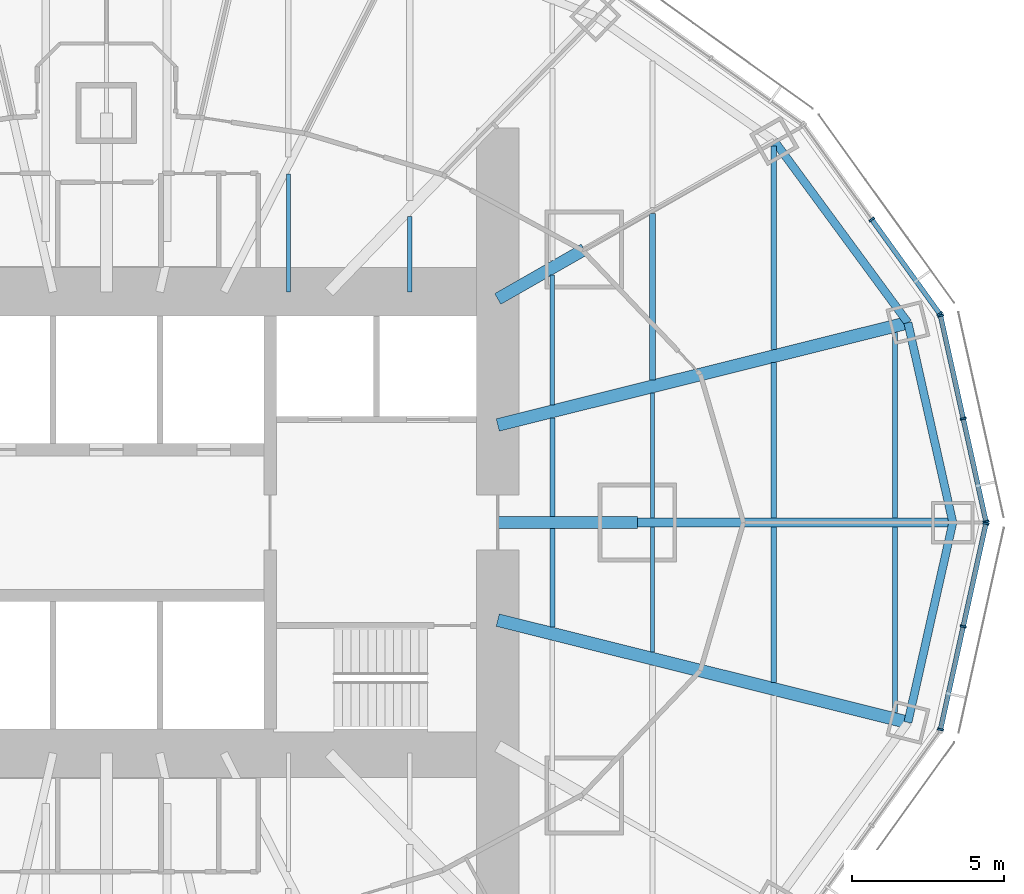
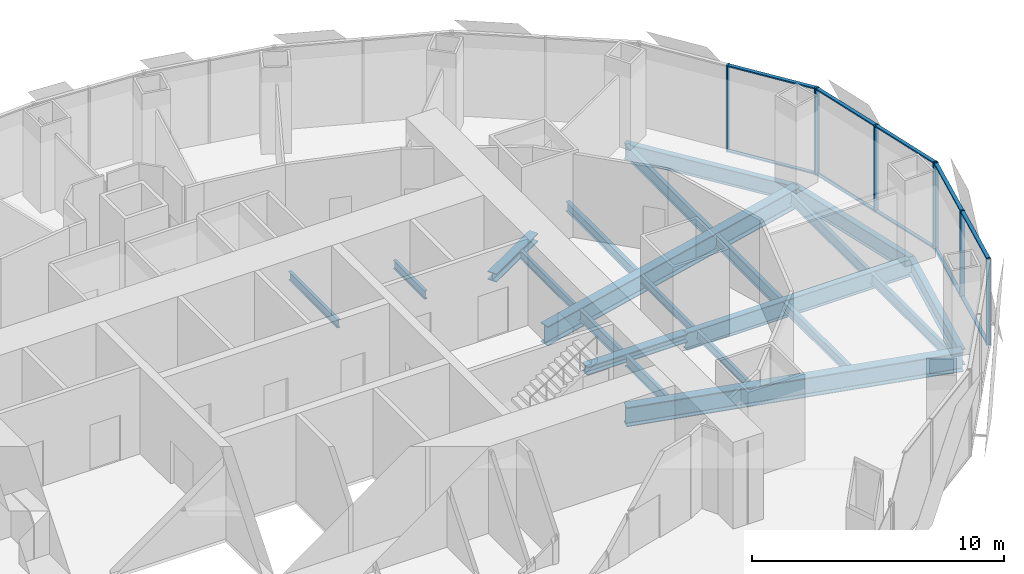
# One storey, part 6 of 18: 21 beams, 18 members, 3 elements without a shape of their own.
"""IFC4 building model written with IfcOpenShell, lengths in metres."""

from ifc_helpers import new_model, si_unit, direction, frame, origin, origin_2d, place, context, subcontext, project, spatial, rectangle, i_section, extrude, material, material_profile, profile_set, type_object, element, aggregate, save


model = new_model("IFC4")

# Units and contexts
model_context = context("Model", 3, precision=1e-05, world=origin(), true_north=direction((0.0, 1.0)))
body_context = subcontext(model_context, "Body", "Model", "MODEL_VIEW")
ifc_project = project(units=[si_unit("LENGTHUNIT", "METRE"), si_unit("AREAUNIT", "SQUARE_METRE"), si_unit("VOLUMEUNIT", "CUBIC_METRE"), si_unit("PLANEANGLEUNIT", "RADIAN"), si_unit("MASSUNIT", "GRAM", prefix="KILO")], contexts=[model_context])

# Site, building, storey
site_placement = place(None, origin())
site = spatial("IfcSite", under=ifc_project, at=site_placement, CompositionType="ELEMENT")
building_placement = place(site_placement, origin())
building = spatial("IfcBuilding", under=site, at=building_placement, Name="Lantaw Convention Tower", CompositionType="ELEMENT")
storey_placement = place(building_placement, frame((0.0, 0.0, 184.60009765625)))
storey = spatial("IfcBuildingStorey", under=building, at=storey_placement, Name="L43", CompositionType="ELEMENT", Elevation=184.60009765625)

# Beams
ifc_material_1 = material(Name="Steel ASTM A992", Category="steel")
ifc_material_profile_1 = material_profile(ifc_material_1, i_section(OverallWidth=0.2666015625, OverallDepth=0.76953125, WebThickness=0.015625, FlangeThickness=0.025390625, FilletRadius=0.0126953125, at=origin_2d()), Name="W30X132")
ifc_profile_set_1 = profile_set([ifc_material_profile_1], Name="Steel ASTM A992")
beam_type_1 = type_object("IfcBeamType", Name="Beam E W30X132", PredefinedType="SPANDREL", material=ifc_profile_set_1)
beam_1_placement = place(storey_placement, frame((27.89990234375, 0.0, -0.534912109375), z_axis=(-0.219211877447, 0.975677279015, 0.0), x_axis=(-0.975677279015, -0.219211877447, 0.0)))
element("IfcBeam", 1, at=beam_1_placement, inside=storey, type_object=beam_type_1, Name="Edge beam 1", PredefinedType="SPANDREL", context=body_context, shape_type="SweptSolid", body=[
    extrude(i_section(OverallWidth=0.2666015625, OverallDepth=0.76953125, WebThickness=0.015625, FlangeThickness=0.025390625, FilletRadius=0.0126953125, at=origin_2d()), origin(), (0.0, 0.0, 1.0), 6.75146484375),
])
beam_2_placement = place(storey_placement, frame((26.419921875, 6.587158203125, -0.534912109375), z_axis=(-0.5923891972, 0.805651934176, 0.0), x_axis=(-0.805651934176, -0.5923891972, 0.0)))
element("IfcBeam", 2, at=beam_2_placement, inside=storey, type_object=beam_type_1, Name="Edge beam 2", PredefinedType="SPANDREL", context=body_context, shape_type="SweptSolid", body=[
    extrude(i_section(OverallWidth=0.2666015625, OverallDepth=0.76953125, WebThickness=0.015625, FlangeThickness=0.025390625, FilletRadius=0.0126953125, at=origin_2d()), origin(), (0.0, 0.0, 1.0), 7.437744140625),
])
beam_3_placement = place(storey_placement, frame((26.419921875, -6.587158203125, -0.534912109375), z_axis=(0.219211877447, 0.975677279015, 0.0), x_axis=(-0.975677279015, 0.219211877447, 0.0)))
element("IfcBeam", 3, at=beam_3_placement, inside=storey, type_object=beam_type_1, Name="Edge beam 24", PredefinedType="SPANDREL", context=body_context, shape_type="SweptSolid", body=[
    extrude(i_section(OverallWidth=0.2666015625, OverallDepth=0.76953125, WebThickness=0.015625, FlangeThickness=0.025390625, FilletRadius=0.0126953125, at=origin_2d()), origin(), (0.0, 0.0, 1.0), 6.75146484375),
])
ifc_material_profile_2 = material_profile(ifc_material_1, i_section(OverallWidth=0.2919921875, OverallDepth=0.845703125, WebThickness=0.015380859375, FlangeThickness=0.0244140625, FilletRadius=0.01513671875, at=origin_2d()), Name="W33X141")
ifc_profile_set_2 = profile_set([ifc_material_profile_2], Name="Steel ASTM A992")
beam_type_2 = type_object("IfcBeamType", Name="Beam G W33X141", PredefinedType="BEAM", material=ifc_profile_set_2)
beam_4_placement = place(storey_placement, frame((17.5, 0.0, -0.572998046875), z_axis=(1.0, 0.0, 0.0), x_axis=(0.0, 1.0, 0.0)))
element("IfcBeam", 4, at=beam_4_placement, inside=storey, type_object=beam_type_2, Name="Floor girder on ray 1", PredefinedType="BEAM", context=body_context, shape_type="SweptSolid", body=[
    extrude(i_section(OverallWidth=0.2919921875, OverallDepth=0.845703125, WebThickness=0.015380859375, FlangeThickness=0.0244140625, FilletRadius=0.01513671875, at=origin_2d()), origin(), (0.0, 0.0, 1.0), 10.39990234375),
])
ifc_material_profile_3 = material_profile(ifc_material_1, i_section(OverallWidth=0.421630859375, OverallDepth=0.937255859375, WebThickness=0.0224609375, FlangeThickness=0.039794921875, FilletRadius=0.02001953125, at=origin_2d()), Name="W36X282")
ifc_profile_set_3 = profile_set([ifc_material_profile_3], Name="Steel ASTM A992")
beam_type_3 = type_object("IfcBeamType", Name="Beam G W36X282", PredefinedType="BEAM", material=ifc_profile_set_3)
for number, where, z_axis, x_axis, name in (
    (5, (12.89990234375, 3.21630859375, -0.61865234375), (0.970296903132, 0.24191717544, 0.0), (-0.24191717544, 0.970296903132, 0.0), "Floor girder on ray 2"),
    (6, (12.89990234375, -3.21630859375, -0.61865234375), (0.970296903132, -0.24191717544, 0.0), (0.24191717544, 0.970296903132, 0.0), "Floor girder on ray 24"),
):
    element("IfcBeam", number, at=place(storey_placement, frame(where, z_axis=z_axis, x_axis=x_axis)), inside=storey, type_object=beam_type_3, Name=name, PredefinedType="BEAM", context=body_context, shape_type="SweptSolid", body=[
        extrude(i_section(OverallWidth=0.421630859375, OverallDepth=0.937255859375, WebThickness=0.0224609375, FlangeThickness=0.039794921875, FilletRadius=0.02001953125, at=origin_2d()), origin(), (0.0, 0.0, 1.0), 13.933837890625),
    ])
ifc_material_profile_4 = material_profile(ifc_material_1, i_section(OverallWidth=0.40380859375, OverallDepth=0.406494140625, WebThickness=0.027099609375, FlangeThickness=0.043701171875, FilletRadius=0.01513671875, at=origin_2d()), Name="W14X233")
ifc_profile_set_4 = profile_set([ifc_material_profile_4], Name="Steel ASTM A992")
beam_type_4 = type_object("IfcBeamType", Name="Beam GM W14X233", PredefinedType="BEAM", material=ifc_profile_set_4)
beam_5_placement = place(storey_placement, frame((12.89990234375, 0.0, -0.353271484375), z_axis=(1.0, 0.0, 0.0), x_axis=(0.0, 1.0, 0.0)))
element("IfcBeam", 7, at=beam_5_placement, inside=storey, type_object=beam_type_4, Name="Core link beam on ray 1", PredefinedType="BEAM", context=body_context, shape_type="SweptSolid", body=[
    extrude(i_section(OverallWidth=0.40380859375, OverallDepth=0.406494140625, WebThickness=0.027099609375, FlangeThickness=0.043701171875, FilletRadius=0.01513671875, at=origin_2d()), origin(), (0.0, 0.0, 1.0), 4.60009765625),
])
beam_6_placement = place(storey_placement, frame((12.89990234375, 7.371337890625, -0.353271484375), z_axis=(0.868238565244, 0.496146947811, 0.0), x_axis=(-0.496146947811, 0.868238565244, 0.0)))
element("IfcBeam", 8, at=beam_6_placement, inside=storey, type_object=beam_type_4, Name="Core link beam on ray 3", PredefinedType="BEAM", context=body_context, shape_type="SweptSolid", body=[
    extrude(i_section(OverallWidth=0.40380859375, OverallDepth=0.406494140625, WebThickness=0.027099609375, FlangeThickness=0.043701171875, FilletRadius=0.01513671875, at=origin_2d()), origin(), (0.0, 0.0, 1.0), 3.28271484375),
])
ifc_material_profile_5 = material_profile(ifc_material_1, i_section(OverallWidth=0.140380859375, OverallDepth=0.40380859375, WebThickness=0.007080078125, FlangeThickness=0.01123046875, FilletRadius=0.01025390625, at=origin_2d()), Name="W16X31")
ifc_profile_set_5 = profile_set([ifc_material_profile_5], Name="Steel ASTM A992")
beam_type_5 = type_object("IfcBeamType", Name="Beam J W16X31", PredefinedType="JOIST", material=ifc_profile_set_5)
beam_7_placement = place(storey_placement, frame((6.0, 7.60009765625, -0.35205078125), z_axis=(0.0, 1.0, 0.0), x_axis=(-1.0, 0.0, 0.0)))
element("IfcBeam", 9, at=beam_7_placement, inside=storey, type_object=beam_type_5, Name="Floor joist", PredefinedType="JOIST", context=body_context, shape_type="SweptSolid", body=[
    extrude(i_section(OverallWidth=0.140380859375, OverallDepth=0.40380859375, WebThickness=0.007080078125, FlangeThickness=0.01123046875, FilletRadius=0.01025390625, at=origin_2d()), origin(), (0.0, 0.0, 1.0), 3.895751953125),
])
beam_8_placement = place(storey_placement, frame((10.0, 7.60009765625, -0.35205078125), z_axis=(0.0, 1.0, 0.0), x_axis=(-1.0, 0.0, 0.0)))
element("IfcBeam", 10, at=beam_8_placement, inside=storey, type_object=beam_type_5, Name="Floor joist", PredefinedType="JOIST", context=body_context, shape_type="SweptSolid", body=[
    extrude(i_section(OverallWidth=0.140380859375, OverallDepth=0.40380859375, WebThickness=0.007080078125, FlangeThickness=0.01123046875, FilletRadius=0.01025390625, at=origin_2d()), origin(), (0.0, 0.0, 1.0), 2.49560546875),
])
beam_9_placement = place(storey_placement, frame((14.699951171875, 3.88232421875, -0.35205078125), z_axis=(0.0, 1.0, 0.0), x_axis=(-1.0, 0.0, 0.0)))
element("IfcBeam", 11, at=beam_9_placement, inside=storey, type_object=beam_type_5, Name="Floor joist", PredefinedType="JOIST", context=body_context, shape_type="SweptSolid", body=[
    extrude(i_section(OverallWidth=0.140380859375, OverallDepth=0.40380859375, WebThickness=0.007080078125, FlangeThickness=0.01123046875, FilletRadius=0.01025390625, at=origin_2d()), origin(), (0.0, 0.0, 1.0), 4.28515625),
])
for number, where, z_axis, x_axis, name in (
    (12, (18.0, -4.270751953125, -0.35205078125), (0.0, 1.0, 0.0), (-1.0, 0.0, 0.0), "Floor joist"),
    (13, (18.0, 0.14599609375, -0.35205078125), (0.0, 1.0, 0.0), (-1.0, 0.0, 0.0), "Floor joist"),
):
    element("IfcBeam", number, at=place(storey_placement, frame(where, z_axis=z_axis, x_axis=x_axis)), inside=storey, type_object=beam_type_5, Name=name, PredefinedType="JOIST", context=body_context, shape_type="SweptSolid", body=[
        extrude(i_section(OverallWidth=0.140380859375, OverallDepth=0.40380859375, WebThickness=0.007080078125, FlangeThickness=0.01123046875, FilletRadius=0.01025390625, at=origin_2d()), origin(), (0.0, 0.0, 1.0), 4.124755859375),
    ])
ifc_material_profile_6 = material_profile(ifc_material_1, i_section(OverallWidth=0.1904296875, OverallDepth=0.457275390625, WebThickness=0.009033203125, FlangeThickness=0.014404296875, FilletRadius=0.01025390625, at=origin_2d()), Name="W18X50")
ifc_profile_set_6 = profile_set([ifc_material_profile_6], Name="Steel ASTM A992")
beam_type_6 = type_object("IfcBeamType", Name="Beam J W18X50", PredefinedType="JOIST", material=ifc_profile_set_6)
beam_10_placement = place(storey_placement, frame((18.0, 4.705078125, -0.378662109375), z_axis=(0.0, 1.0, 0.0), x_axis=(-1.0, 0.0, 0.0)))
element("IfcBeam", 14, at=beam_10_placement, inside=storey, type_object=beam_type_6, Name="Floor joist", PredefinedType="JOIST", context=body_context, shape_type="SweptSolid", body=[
    extrude(i_section(OverallWidth=0.1904296875, OverallDepth=0.457275390625, WebThickness=0.009033203125, FlangeThickness=0.014404296875, FilletRadius=0.01025390625, at=origin_2d()), origin(), (0.0, 0.0, 1.0), 5.47802734375),
])
beam_11_placement = place(storey_placement, frame((22.0, -5.267822265625, -0.378662109375), z_axis=(0.0, 1.0, 0.0), x_axis=(-1.0, 0.0, 0.0)))
element("IfcBeam", 15, at=beam_11_placement, inside=storey, type_object=beam_type_6, Name="Floor joist", PredefinedType="JOIST", context=body_context, shape_type="SweptSolid", body=[
    extrude(i_section(OverallWidth=0.1904296875, OverallDepth=0.457275390625, WebThickness=0.009033203125, FlangeThickness=0.014404296875, FilletRadius=0.01025390625, at=origin_2d()), origin(), (0.0, 0.0, 1.0), 5.121826171875),
])
ifc_material_profile_7 = material_profile(ifc_material_1, i_section(OverallWidth=0.1650390625, OverallDepth=0.52587890625, WebThickness=0.0087890625, FlangeThickness=0.011474609375, FilletRadius=0.0126953125, at=origin_2d()), Name="W21X44")
ifc_profile_set_7 = profile_set([ifc_material_profile_7], Name="Steel ASTM A992")
beam_type_7 = type_object("IfcBeamType", Name="Beam J W21X44", PredefinedType="JOIST", material=ifc_profile_set_7)
for number, where, z_axis, x_axis, name in (
    (16, (26.0, -6.26513671875, -0.4130859375), (0.0, 1.0, 0.0), (-1.0, 0.0, 0.0), "Floor joist"),
    (17, (26.0, 0.14599609375, -0.4130859375), (0.0, 1.0, 0.0), (-1.0, 0.0, 0.0), "Floor joist"),
):
    element("IfcBeam", number, at=place(storey_placement, frame(where, z_axis=z_axis, x_axis=x_axis)), inside=storey, type_object=beam_type_7, Name=name, PredefinedType="JOIST", context=body_context, shape_type="SweptSolid", body=[
        extrude(i_section(OverallWidth=0.1650390625, OverallDepth=0.52587890625, WebThickness=0.0087890625, FlangeThickness=0.011474609375, FilletRadius=0.0126953125, at=origin_2d()), origin(), (0.0, 0.0, 1.0), 6.119140625),
    ])
ifc_material_profile_8 = material_profile(ifc_material_1, i_section(OverallWidth=0.165771484375, OverallDepth=0.5283203125, WebThickness=0.009765625, FlangeThickness=0.013671875, FilletRadius=0.012939453125, at=origin_2d()), Name="W21X50")
ifc_profile_set_8 = profile_set([ifc_material_profile_8], Name="Steel ASTM A992")
beam_type_8 = type_object("IfcBeamType", Name="Beam J W21X50", PredefinedType="JOIST", material=ifc_profile_set_8)
for number, where, z_axis, x_axis, name in (
    (18, (14.699951171875, -3.44775390625, -0.414306640625), (0.0, 1.0, 0.0), (-1.0, 0.0, 0.0), "Floor joist"),
    (19, (14.699951171875, 0.201904296875, -0.414306640625), (0.0, 1.0, 0.0), (-1.0, 0.0, 0.0), "Floor joist"),
):
    element("IfcBeam", number, at=place(storey_placement, frame(where, z_axis=z_axis, x_axis=x_axis)), inside=storey, type_object=beam_type_8, Name=name, PredefinedType="JOIST", context=body_context, shape_type="SweptSolid", body=[
        extrude(i_section(OverallWidth=0.165771484375, OverallDepth=0.5283203125, WebThickness=0.009765625, FlangeThickness=0.013671875, FilletRadius=0.012939453125, at=origin_2d()), origin(), (0.0, 0.0, 1.0), 3.245849609375),
    ])
ifc_material_profile_9 = material_profile(ifc_material_1, i_section(OverallWidth=0.177978515625, OverallDepth=0.599365234375, WebThickness=0.010009765625, FlangeThickness=0.012939453125, FilletRadius=0.012939453125, at=origin_2d()), Name="W24X55")
ifc_profile_set_9 = profile_set([ifc_material_profile_9], Name="Steel ASTM A992")
beam_type_9 = type_object("IfcBeamType", Name="Beam J W24X55", PredefinedType="JOIST", material=ifc_profile_set_9)
beam_12_placement = place(storey_placement, frame((22.0, 0.14599609375, -0.44970703125), z_axis=(0.0, 1.0, 0.0), x_axis=(-1.0, 0.0, 0.0)))
element("IfcBeam", 20, at=beam_12_placement, inside=storey, type_object=beam_type_9, Name="Floor joist", PredefinedType="JOIST", context=body_context, shape_type="SweptSolid", body=[
    extrude(i_section(OverallWidth=0.177978515625, OverallDepth=0.599365234375, WebThickness=0.010009765625, FlangeThickness=0.012939453125, FilletRadius=0.012939453125, at=origin_2d()), origin(), (0.0, 0.0, 1.0), 5.121826171875),
])
beam_13_placement = place(storey_placement, frame((22.0, 5.702392578125, -0.44970703125), z_axis=(0.0, 1.0, 0.0), x_axis=(-1.0, 0.0, 0.0)))
element("IfcBeam", 21, at=beam_13_placement, inside=storey, type_object=beam_type_9, Name="Floor joist", PredefinedType="JOIST", context=body_context, shape_type="SweptSolid", body=[
    extrude(i_section(OverallWidth=0.177978515625, OverallDepth=0.599365234375, WebThickness=0.010009765625, FlangeThickness=0.012939453125, FilletRadius=0.012939453125, at=origin_2d()), origin(), (0.0, 0.0, 1.0), 6.70654296875),
])

# Curtain wall, members
ifc_material_2 = material(Name="Aluminium framed curtain wall", Category="aluminium")
curtain_wall_type = type_object("IfcCurtainWallType", Name="Office curtain wall low rise, pale aluminium", PredefinedType="USERDEFINED", material=ifc_material_2)
curtain_wall_1_placement = place(storey_placement, origin())
curtain_wall_1 = element("IfcCurtainWall", 22, at=curtain_wall_1_placement, inside=storey, type_object=curtain_wall_type, Name="Office curtain wall low rise, pale aluminium L43", ObjectType="UNITISED CURTAIN WALL", PredefinedType="USERDEFINED")
ifc_material_3 = material(Name="Aluminium 6063-T6", Category="aluminium")
ifc_material_profile_10 = material_profile(ifc_material_3, rectangle(XDim=0.199951171875, YDim=0.06494140625, at=origin_2d()), Name="CW-O1 mullion 65x200")
ifc_profile_set_10 = profile_set([ifc_material_profile_10], Name="Aluminium 6063-T6")
member_type_1 = type_object("IfcMemberType", Name="CW-O1 mullion 65x200", PredefinedType="MULLION", material=ifc_profile_set_10)
member_1_placement = place(storey_placement, frame((28.992919921875, 0.03173828125, -0.150146484375), z_axis=(0.0, 0.0, 1.0), x_axis=(-0.9764936509, -0.215546166174, 0.0)))
member_1 = element("IfcMember", 23, at=member_1_placement, type_object=member_type_1, Name="CW-O1 mullion 1", PredefinedType="MULLION", context=body_context, shape_type="SweptSolid", body=[
    extrude(rectangle(XDim=0.199951171875, YDim=0.06494140625, at=origin_2d()), origin(), (0.0, 0.0, 1.0), 4.199951171875),
])
member_2_placement = place(storey_placement, frame((28.24365234375, 3.4267578125, -0.150146484375), z_axis=(0.0, 0.0, 1.0), x_axis=(-0.9764936509, -0.215546166174, 0.0)))
member_2 = element("IfcMember", 24, at=member_2_placement, type_object=member_type_1, Name="CW-O1 mullion 2", PredefinedType="MULLION", context=body_context, shape_type="SweptSolid", body=[
    extrude(rectangle(XDim=0.199951171875, YDim=0.06494140625, at=origin_2d()), origin(), (0.0, 0.0, 1.0), 4.199951171875),
])
member_3_placement = place(storey_placement, frame((27.494140625, 6.821533203125, -0.150146484375), z_axis=(0.0, 0.0, 1.0), x_axis=(-0.9764936509, -0.215546166174, 0.0)))
member_3 = element("IfcMember", 25, at=member_3_placement, type_object=member_type_1, Name="CW-O1 mullion 3", PredefinedType="MULLION", context=body_context, shape_type="SweptSolid", body=[
    extrude(rectangle(XDim=0.199951171875, YDim=0.06494140625, at=origin_2d()), origin(), (0.0, 0.0, 1.0), 4.199951171875),
])

curtain_wall_2_placement = place(storey_placement, origin())
curtain_wall_2 = element("IfcCurtainWall", 26, at=curtain_wall_2_placement, inside=storey, type_object=curtain_wall_type, Name="Office curtain wall low rise, pale aluminium L43", ObjectType="UNITISED CURTAIN WALL", PredefinedType="USERDEFINED")
member_4_placement = place(storey_placement, frame((27.46826171875, 6.879638671875, -0.150146484375), z_axis=(0.0, 0.0, 1.0), x_axis=(-0.811384633629, -0.584512597221, 0.0)))
member_4 = element("IfcMember", 27, at=member_4_placement, type_object=member_type_1, Name="CW-O1 mullion 1", PredefinedType="MULLION", context=body_context, shape_type="SweptSolid", body=[
    extrude(rectangle(XDim=0.199951171875, YDim=0.06494140625, at=origin_2d()), origin(), (0.0, 0.0, 1.0), 4.199951171875),
])
member_5_placement = place(storey_placement, frame((25.22802734375, 9.9892578125, -0.150146484375), z_axis=(0.0, 0.0, 1.0), x_axis=(-0.811384633629, -0.584512597221, 0.0)))
member_5 = element("IfcMember", 28, at=member_5_placement, type_object=member_type_1, Name="CW-O1 mullion 2", PredefinedType="MULLION", context=body_context, shape_type="SweptSolid", body=[
    extrude(rectangle(XDim=0.199951171875, YDim=0.06494140625, at=origin_2d()), origin(), (0.0, 0.0, 1.0), 4.199951171875),
])

curtain_wall_3_placement = place(storey_placement, origin())
curtain_wall_3 = element("IfcCurtainWall", 29, at=curtain_wall_3_placement, inside=storey, type_object=curtain_wall_type, Name="Office curtain wall low rise, pale aluminium L43", ObjectType="UNITISED CURTAIN WALL", PredefinedType="USERDEFINED")
member_6_placement = place(storey_placement, frame((27.494140625, -6.821533203125, -0.150146484375), z_axis=(0.0, 0.0, 1.0), x_axis=(-0.9764936509, 0.215546166174, 0.0)))
member_6 = element("IfcMember", 30, at=member_6_placement, type_object=member_type_1, Name="CW-O1 mullion 1", PredefinedType="MULLION", context=body_context, shape_type="SweptSolid", body=[
    extrude(rectangle(XDim=0.199951171875, YDim=0.06494140625, at=origin_2d()), origin(), (0.0, 0.0, 1.0), 4.199951171875),
])
member_7_placement = place(storey_placement, frame((28.24365234375, -3.4267578125, -0.150146484375), z_axis=(0.0, 0.0, 1.0), x_axis=(-0.9764936509, 0.215546166174, 0.0)))
member_7 = element("IfcMember", 31, at=member_7_placement, type_object=member_type_1, Name="CW-O1 mullion 2", PredefinedType="MULLION", context=body_context, shape_type="SweptSolid", body=[
    extrude(rectangle(XDim=0.199951171875, YDim=0.06494140625, at=origin_2d()), origin(), (0.0, 0.0, 1.0), 4.199951171875),
])
member_8_placement = place(storey_placement, frame((28.992919921875, -0.03173828125, -0.150146484375), z_axis=(0.0, 0.0, 1.0), x_axis=(-0.9764936509, 0.215546166174, 0.0)))
member_8 = element("IfcMember", 32, at=member_8_placement, type_object=member_type_1, Name="CW-O1 mullion 3", PredefinedType="MULLION", context=body_context, shape_type="SweptSolid", body=[
    extrude(rectangle(XDim=0.199951171875, YDim=0.06494140625, at=origin_2d()), origin(), (0.0, 0.0, 1.0), 4.199951171875),
])

# Member
ifc_material_profile_11 = material_profile(ifc_material_3, rectangle(XDim=0.159912109375, YDim=0.06494140625, at=origin_2d()), Name="CW-O1 transom 65x160")
ifc_profile_set_11 = profile_set([ifc_material_profile_11], Name="Aluminium 6063-T6")
member_type_2 = type_object("IfcMemberType", Name="CW-O1 transom 65x160", PredefinedType="USERDEFINED", material=ifc_profile_set_11)
member_9_placement = place(storey_placement, frame((28.986083984375, 0.0634765625, -0.11767578125), z_axis=(-0.215536096386, 0.976495873598, 0.0), x_axis=(-0.976495873598, -0.215536096386, 0.0)))
member_9 = element("IfcMember", 33, at=member_9_placement, type_object=member_type_2, Name="CW-O1 transom 1.1", ObjectType="TRANSOM", PredefinedType="USERDEFINED", context=body_context, shape_type="SweptSolid", body=[
    extrude(rectangle(XDim=0.159912109375, YDim=0.06494140625, at=origin_2d()), origin(), (0.0, 0.0, 1.0), 3.41162109375),
])

member_10_placement = place(storey_placement, frame((28.986083984375, 0.0634765625, 4.017333984375), z_axis=(-0.215536096386, 0.976495873598, 0.0), x_axis=(-0.976495873598, -0.215536096386, 0.0)))
member_10 = element("IfcMember", 34, at=member_10_placement, type_object=member_type_2, Name="CW-O1 transom 1.2", ObjectType="TRANSOM", PredefinedType="USERDEFINED", context=body_context, shape_type="SweptSolid", body=[
    extrude(rectangle(XDim=0.159912109375, YDim=0.06494140625, at=origin_2d()), origin(), (0.0, 0.0, 1.0), 3.41162109375),
])

member_11_placement = place(storey_placement, frame((28.236572265625, 3.45849609375, -0.11767578125), z_axis=(-0.21555115847, 0.976492548913, 0.0), x_axis=(-0.976492548913, -0.21555115847, 0.0)))
member_11 = element("IfcMember", 35, at=member_11_placement, type_object=member_type_2, Name="CW-O1 transom 2.1", ObjectType="TRANSOM", PredefinedType="USERDEFINED", context=body_context, shape_type="SweptSolid", body=[
    extrude(rectangle(XDim=0.159912109375, YDim=0.06494140625, at=origin_2d()), origin(), (0.0, 0.0, 1.0), 3.411376953125),
])

member_12_placement = place(storey_placement, frame((28.236572265625, 3.45849609375, 4.017333984375), z_axis=(-0.21555115847, 0.976492548913, 0.0), x_axis=(-0.976492548913, -0.21555115847, 0.0)))
member_12 = element("IfcMember", 36, at=member_12_placement, type_object=member_type_2, Name="CW-O1 transom 2.2", ObjectType="TRANSOM", PredefinedType="USERDEFINED", context=body_context, shape_type="SweptSolid", body=[
    extrude(rectangle(XDim=0.159912109375, YDim=0.06494140625, at=origin_2d()), origin(), (0.0, 0.0, 1.0), 3.411376953125),
])

aggregate(curtain_wall_1, [member_1, member_2, member_3, member_9, member_10, member_11, member_12])

member_13_placement = place(storey_placement, frame((27.44921875, 6.906005859375, -0.11767578125), z_axis=(-0.584512973979, 0.811384362217, 0.0), x_axis=(-0.811384362217, -0.584512973979, 0.0)))
member_13 = element("IfcMember", 37, at=member_13_placement, type_object=member_type_2, Name="CW-O1 transom 1.1", ObjectType="TRANSOM", PredefinedType="USERDEFINED", context=body_context, shape_type="SweptSolid", body=[
    extrude(rectangle(XDim=0.159912109375, YDim=0.06494140625, at=origin_2d()), origin(), (0.0, 0.0, 1.0), 3.767578125),
])

member_14_placement = place(storey_placement, frame((27.44921875, 6.906005859375, 4.017333984375), z_axis=(-0.584512973979, 0.811384362217, 0.0), x_axis=(-0.811384362217, -0.584512973979, 0.0)))
member_14 = element("IfcMember", 38, at=member_14_placement, type_object=member_type_2, Name="CW-O1 transom 1.2", ObjectType="TRANSOM", PredefinedType="USERDEFINED", context=body_context, shape_type="SweptSolid", body=[
    extrude(rectangle(XDim=0.159912109375, YDim=0.06494140625, at=origin_2d()), origin(), (0.0, 0.0, 1.0), 3.767578125),
])

aggregate(curtain_wall_2, [member_4, member_5, member_13, member_14])

member_15_placement = place(storey_placement, frame((27.501220703125, -6.789794921875, -0.11767578125), z_axis=(0.21555115847, 0.976492548913, 0.0), x_axis=(-0.976492548913, 0.21555115847, 0.0)))
member_15 = element("IfcMember", 39, at=member_15_placement, type_object=member_type_2, Name="CW-O1 transom 1.1", ObjectType="TRANSOM", PredefinedType="USERDEFINED", context=body_context, shape_type="SweptSolid", body=[
    extrude(rectangle(XDim=0.159912109375, YDim=0.06494140625, at=origin_2d()), origin(), (0.0, 0.0, 1.0), 3.411376953125),
])

member_16_placement = place(storey_placement, frame((27.501220703125, -6.789794921875, 4.017333984375), z_axis=(0.21555115847, 0.976492548913, 0.0), x_axis=(-0.976492548913, 0.21555115847, 0.0)))
member_16 = element("IfcMember", 40, at=member_16_placement, type_object=member_type_2, Name="CW-O1 transom 1.2", ObjectType="TRANSOM", PredefinedType="USERDEFINED", context=body_context, shape_type="SweptSolid", body=[
    extrude(rectangle(XDim=0.159912109375, YDim=0.06494140625, at=origin_2d()), origin(), (0.0, 0.0, 1.0), 3.411376953125),
])

member_17_placement = place(storey_placement, frame((28.250732421875, -3.39501953125, -0.11767578125), z_axis=(0.215536096386, 0.976495873598, 0.0), x_axis=(-0.976495873598, 0.215536096386, 0.0)))
member_17 = element("IfcMember", 41, at=member_17_placement, type_object=member_type_2, Name="CW-O1 transom 2.1", ObjectType="TRANSOM", PredefinedType="USERDEFINED", context=body_context, shape_type="SweptSolid", body=[
    extrude(rectangle(XDim=0.159912109375, YDim=0.06494140625, at=origin_2d()), origin(), (0.0, 0.0, 1.0), 3.41162109375),
])

member_18_placement = place(storey_placement, frame((28.250732421875, -3.39501953125, 4.017333984375), z_axis=(0.215536096386, 0.976495873598, 0.0), x_axis=(-0.976495873598, 0.215536096386, 0.0)))
member_18 = element("IfcMember", 42, at=member_18_placement, type_object=member_type_2, Name="CW-O1 transom 2.2", ObjectType="TRANSOM", PredefinedType="USERDEFINED", context=body_context, shape_type="SweptSolid", body=[
    extrude(rectangle(XDim=0.159912109375, YDim=0.06494140625, at=origin_2d()), origin(), (0.0, 0.0, 1.0), 3.41162109375),
])

aggregate(curtain_wall_3, [member_6, member_7, member_8, member_15, member_16, member_17, member_18])

save(model, "model.ifc")
